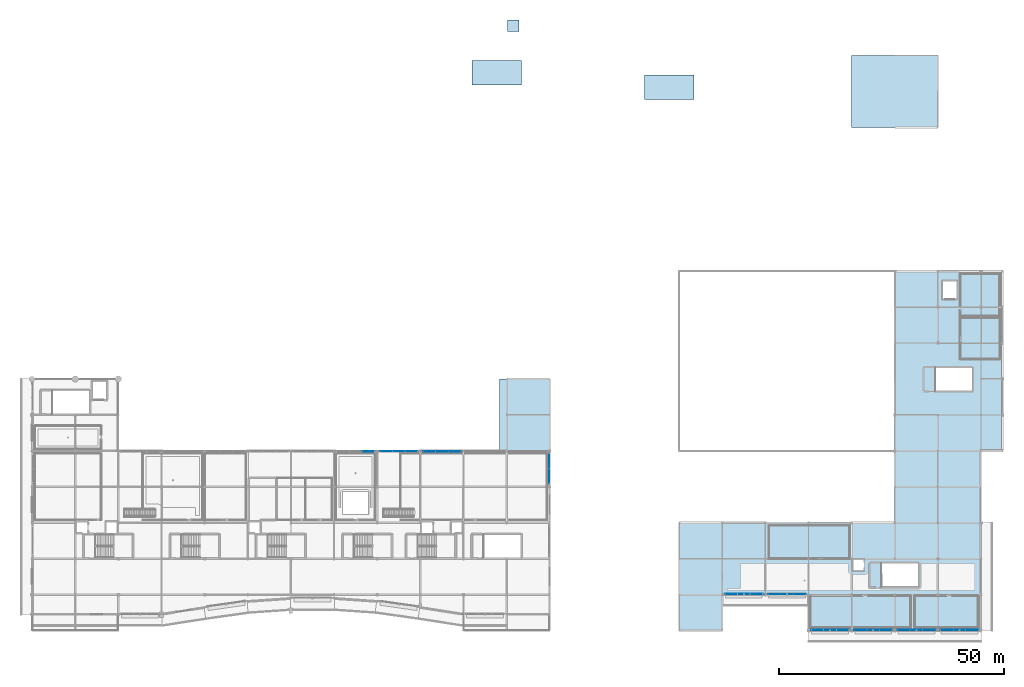
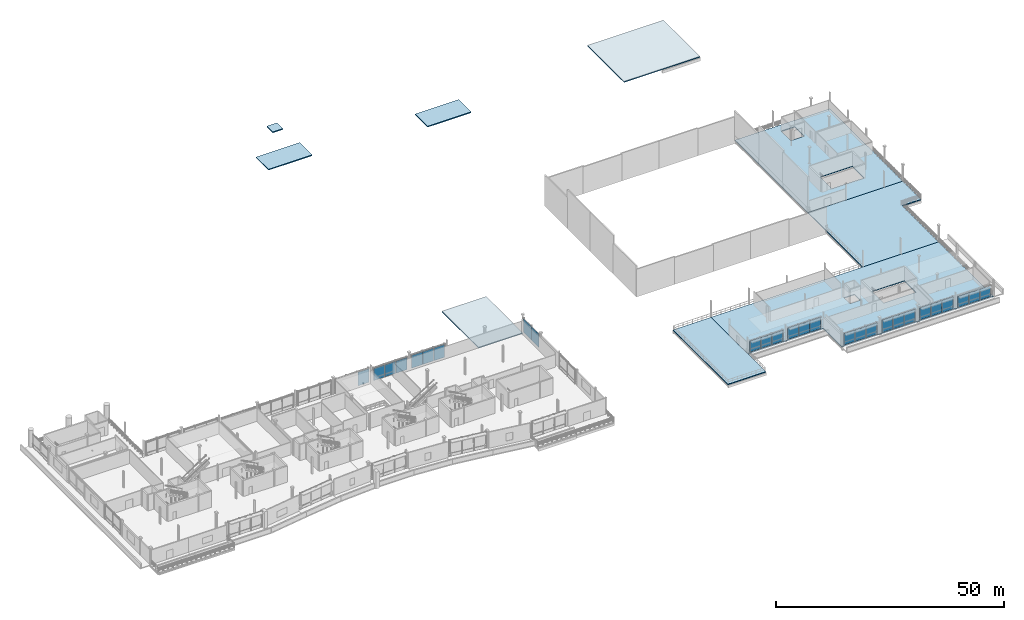
# One storey, part 35 of 59: 27 plates, 9 slabs, 10 elements without a shape of their own.
"""IFC4 building model written with IfcOpenShell, lengths in metres."""

from ifc_helpers import new_model, si_unit, direction, frame, origin, origin_2d, place, context, subcontext, project, spatial, polyline, rectangle, outline, extrude, material, layer, layer_set, type_object, element, aggregate, save


model = new_model("IFC4")

# Units and contexts
model_context = context("Model", 3, precision=1e-05, world=origin(), true_north=direction((0.0, 1.0)))
body_context = subcontext(model_context, "Body", "Model", "MODEL_VIEW")
ifc_project = project(units=[si_unit("LENGTHUNIT", "METRE"), si_unit("AREAUNIT", "SQUARE_METRE"), si_unit("VOLUMEUNIT", "CUBIC_METRE"), si_unit("PLANEANGLEUNIT", "RADIAN"), si_unit("MASSUNIT", "GRAM", prefix="KILO")], contexts=[model_context])

# Site, building, storey
site_placement = place(None, origin())
site = spatial("IfcSite", under=ifc_project, at=site_placement, CompositionType="ELEMENT")
building_placement = place(site_placement, origin())
building = spatial("IfcBuilding", under=site, at=building_placement, Name="Danafjord Basin Convention Centre", CompositionType="ELEMENT")
storey_placement = place(building_placement, frame((0.0, 0.0, 15.89990234375)))
storey = spatial("IfcBuildingStorey", under=building, at=storey_placement, Name="L03", CompositionType="ELEMENT", Elevation=15.89990234375)

# Curtain wall, plates
ifc_material_1 = material(Name="Anodised aluminium and triple glazing", Category="aluminium")
curtain_wall_type_1 = type_object("IfcCurtainWallType", Name="CW-CW-TERR", PredefinedType="NOTDEFINED", material=ifc_material_1)
curtain_wall_1_placement = place(storey_placement, origin())
curtain_wall_1 = element("IfcCurtainWall", 1, at=curtain_wall_1_placement, inside=storey, type_object=curtain_wall_type_1, Name="L03 CW-TERR unitised curtain wall bay 80", PredefinedType="NOTDEFINED")
ifc_material_2 = material(Name="Triple low-E insulated glazing", Category="glass")
ifc_layer_1 = layer(ifc_material_2, 0.0380859375)
ifc_layer_set_1 = layer_set([ifc_layer_1], Name="Triple low-E insulated glazing")
plate_type_1 = type_object("IfcPlateType", Name="PLT-GP-38", PredefinedType="CURTAIN_PANEL", material=ifc_layer_set_1)
plate_1_placement = place(storey_placement, frame((84.39990234375, 39.8798828125, 0.087890625), z_axis=(0.0, 0.0, 1.0), x_axis=(-1.0, 0.0, 0.0)))
plate_1 = element("IfcPlate", 2, at=plate_1_placement, type_object=plate_type_1, Name="CW-L03-080 vision glazing unit 1", PredefinedType="CURTAIN_PANEL", context=body_context, shape_type="SweptSolid", body=[
    extrude(rectangle(XDim=2.743896484375, YDim=0.0380859375, at=origin_2d()), origin(), (0.0, 0.0, 1.0), 3.280029296875),
])
plate_2_placement = place(storey_placement, frame((81.60009765625, 39.8798828125, 0.087890625), z_axis=(0.0, 0.0, 1.0), x_axis=(-1.0, 0.0, 0.0)))
plate_2 = element("IfcPlate", 3, at=plate_2_placement, type_object=plate_type_1, Name="CW-L03-080 vision glazing unit 2", PredefinedType="CURTAIN_PANEL", context=body_context, shape_type="SweptSolid", body=[
    extrude(rectangle(XDim=2.743896484375, YDim=0.0380859375, at=origin_2d()), origin(), (0.0, 0.0, 1.0), 3.280029296875),
])
plate_3_placement = place(storey_placement, frame((78.800048828125, 39.8798828125, 0.087890625), z_axis=(0.0, 0.0, 1.0), x_axis=(-1.0, 0.0, 0.0)))
plate_3 = element("IfcPlate", 4, at=plate_3_placement, type_object=plate_type_1, Name="CW-L03-080 vision glazing unit 3", PredefinedType="CURTAIN_PANEL", context=body_context, shape_type="SweptSolid", body=[
    extrude(rectangle(XDim=2.743896484375, YDim=0.0380859375, at=origin_2d()), origin(), (0.0, 0.0, 1.0), 3.280029296875),
])
aggregate(curtain_wall_1, [plate_1, plate_2, plate_3])

curtain_wall_2_placement = place(storey_placement, origin())
curtain_wall_2 = element("IfcCurtainWall", 5, at=curtain_wall_2_placement, inside=storey, type_object=curtain_wall_type_1, Name="L03 CW-TERR unitised curtain wall bay 86", PredefinedType="NOTDEFINED")
plate_4_placement = place(storey_placement, frame((115.080078125, 34.300048828125, 0.087890625), z_axis=(0.0, 0.0, 1.0), x_axis=(0.0, 1.0, 0.0)))
plate_4 = element("IfcPlate", 6, at=plate_4_placement, type_object=plate_type_1, Name="CW-L03-086 vision glazing unit 1", PredefinedType="CURTAIN_PANEL", context=body_context, shape_type="SweptSolid", body=[
    extrude(rectangle(XDim=3.343994140625, YDim=0.0380859375, at=origin_2d()), origin(), (0.0, 0.0, 1.0), 3.677978515625),
])
plate_5_placement = place(storey_placement, frame((115.080078125, 37.699951171875, 0.087890625), z_axis=(0.0, 0.0, 1.0), x_axis=(0.0, 1.0, 0.0)))
plate_5 = element("IfcPlate", 7, at=plate_5_placement, type_object=plate_type_1, Name="CW-L03-086 vision glazing unit 2", PredefinedType="CURTAIN_PANEL", context=body_context, shape_type="SweptSolid", body=[
    extrude(rectangle(XDim=3.343994140625, YDim=0.0380859375, at=origin_2d()), origin(), (0.0, 0.0, 1.0), 3.677978515625),
])
aggregate(curtain_wall_2, [plate_4, plate_5])

curtain_wall_type_2 = type_object("IfcCurtainWallType", Name="CW-CW-HARB", PredefinedType="NOTDEFINED", material=ifc_material_1)
curtain_wall_3_placement = place(storey_placement, origin())
curtain_wall_3 = element("IfcCurtainWall", 8, at=curtain_wall_3_placement, inside=storey, type_object=curtain_wall_type_2, Name="L03 CW-HARB unitised curtain wall bay 140", PredefinedType="NOTDEFINED")
plate_6_placement = place(storey_placement, frame((184.39990234375, 0.1201171875, 0.087890625), z_axis=(0.0, 0.0, 1.0), x_axis=(1.0, 0.0, 0.0)))
plate_6 = element("IfcPlate", 9, at=plate_6_placement, type_object=plate_type_1, Name="CW-L03-140 vision glazing unit 1", PredefinedType="CURTAIN_PANEL", context=body_context, shape_type="SweptSolid", body=[
    extrude(rectangle(XDim=2.743896484375, YDim=0.0380859375, at=origin_2d()), origin(), (0.0, 0.0, 1.0), 3.239013671875),
])
plate_7_placement = place(storey_placement, frame((187.199951171875, 0.1201171875, 0.087890625), z_axis=(0.0, 0.0, 1.0), x_axis=(1.0, 0.0, 0.0)))
plate_7 = element("IfcPlate", 10, at=plate_7_placement, type_object=plate_type_1, Name="CW-L03-140 vision glazing unit 2", PredefinedType="CURTAIN_PANEL", context=body_context, shape_type="SweptSolid", body=[
    extrude(rectangle(XDim=2.743896484375, YDim=0.0380859375, at=origin_2d()), origin(), (0.0, 0.0, 1.0), 3.239013671875),
])
plate_8_placement = place(storey_placement, frame((190.0, 0.1201171875, 0.087890625), z_axis=(0.0, 0.0, 1.0), x_axis=(1.0, 0.0, 0.0)))
plate_8 = element("IfcPlate", 11, at=plate_8_placement, type_object=plate_type_1, Name="CW-L03-140 vision glazing unit 3", PredefinedType="CURTAIN_PANEL", context=body_context, shape_type="SweptSolid", body=[
    extrude(rectangle(XDim=2.743896484375, YDim=0.0380859375, at=origin_2d()), origin(), (0.0, 0.0, 1.0), 3.239013671875),
])
aggregate(curtain_wall_3, [plate_6, plate_7, plate_8])

curtain_wall_4_placement = place(storey_placement, origin())
curtain_wall_4 = element("IfcCurtainWall", 12, at=curtain_wall_4_placement, inside=storey, type_object=curtain_wall_type_2, Name="L03 CW-HARB unitised curtain wall bay 142", PredefinedType="NOTDEFINED")
plate_9_placement = place(storey_placement, frame((203.60009765625, 0.1201171875, 0.087890625), z_axis=(0.0, 0.0, 1.0), x_axis=(1.0, 0.0, 0.0)))
plate_9 = element("IfcPlate", 13, at=plate_9_placement, type_object=plate_type_1, Name="CW-L03-142 vision glazing unit 1", PredefinedType="CURTAIN_PANEL", context=body_context, shape_type="SweptSolid", body=[
    extrude(rectangle(XDim=2.743896484375, YDim=0.0380859375, at=origin_2d()), origin(), (0.0, 0.0, 1.0), 2.839111328125),
])
plate_10_placement = place(storey_placement, frame((206.39990234375, 0.1201171875, 0.087890625), z_axis=(0.0, 0.0, 1.0), x_axis=(1.0, 0.0, 0.0)))
plate_10 = element("IfcPlate", 14, at=plate_10_placement, type_object=plate_type_1, Name="CW-L03-142 vision glazing unit 2", PredefinedType="CURTAIN_PANEL", context=body_context, shape_type="SweptSolid", body=[
    extrude(rectangle(XDim=2.743896484375, YDim=0.0380859375, at=origin_2d()), origin(), (0.0, 0.0, 1.0), 2.839111328125),
])
plate_11_placement = place(storey_placement, frame((209.199951171875, 0.1201171875, 0.087890625), z_axis=(0.0, 0.0, 1.0), x_axis=(1.0, 0.0, 0.0)))
plate_11 = element("IfcPlate", 15, at=plate_11_placement, type_object=plate_type_1, Name="CW-L03-142 vision glazing unit 3", PredefinedType="CURTAIN_PANEL", context=body_context, shape_type="SweptSolid", body=[
    extrude(rectangle(XDim=2.743896484375, YDim=0.0380859375, at=origin_2d()), origin(), (0.0, 0.0, 1.0), 2.839111328125),
])
aggregate(curtain_wall_4, [plate_9, plate_10, plate_11])

curtain_wall_5_placement = place(storey_placement, origin())
curtain_wall_5 = element("IfcCurtainWall", 16, at=curtain_wall_5_placement, inside=storey, type_object=curtain_wall_type_2, Name="L03 CW-HARB unitised curtain wall bay 150", PredefinedType="NOTDEFINED")
plate_12_placement = place(storey_placement, frame((165.199951171875, 8.1201171875, 0.087890625), z_axis=(0.0, 0.0, 1.0), x_axis=(1.0, 0.0, 0.0)))
plate_12 = element("IfcPlate", 17, at=plate_12_placement, type_object=plate_type_1, Name="CW-L03-150 vision glazing unit 1", PredefinedType="CURTAIN_PANEL", context=body_context, shape_type="SweptSolid", body=[
    extrude(rectangle(XDim=2.743896484375, YDim=0.0380859375, at=origin_2d()), origin(), (0.0, 0.0, 1.0), 2.989013671875),
])
plate_13_placement = place(storey_placement, frame((168.0, 8.1201171875, 0.087890625), z_axis=(0.0, 0.0, 1.0), x_axis=(1.0, 0.0, 0.0)))
plate_13 = element("IfcPlate", 18, at=plate_13_placement, type_object=plate_type_1, Name="CW-L03-150 vision glazing unit 2", PredefinedType="CURTAIN_PANEL", context=body_context, shape_type="SweptSolid", body=[
    extrude(rectangle(XDim=2.743896484375, YDim=0.0380859375, at=origin_2d()), origin(), (0.0, 0.0, 1.0), 2.989013671875),
])
plate_14_placement = place(storey_placement, frame((170.800048828125, 8.1201171875, 0.087890625), z_axis=(0.0, 0.0, 1.0), x_axis=(1.0, 0.0, 0.0)))
plate_14 = element("IfcPlate", 19, at=plate_14_placement, type_object=plate_type_1, Name="CW-L03-150 vision glazing unit 3", PredefinedType="CURTAIN_PANEL", context=body_context, shape_type="SweptSolid", body=[
    extrude(rectangle(XDim=2.743896484375, YDim=0.0380859375, at=origin_2d()), origin(), (0.0, 0.0, 1.0), 2.989013671875),
])
aggregate(curtain_wall_5, [plate_12, plate_13, plate_14])

# Curtain wall, plate
curtain_wall_6_placement = place(storey_placement, origin())
curtain_wall_6 = element("IfcCurtainWall", 20, at=curtain_wall_6_placement, inside=storey, type_object=curtain_wall_type_1, Name="L03 CW-TERR unitised curtain wall bay 79", PredefinedType="NOTDEFINED")
ifc_layer_2 = layer(ifc_material_2, 0.048095703125)
ifc_layer_set_2 = layer_set([ifc_layer_2], Name="Triple low-E insulated glazing")
plate_type_2 = type_object("IfcPlateType", Name="PLT-GP-48", PredefinedType="CURTAIN_PANEL", material=ifc_layer_set_2)
plate_15_placement = place(storey_placement, frame((74.800048828125, 39.8798828125, 0.088134765625), z_axis=(0.0, 0.0, 1.0), x_axis=(-1.0, 0.0, 0.0)))
plate_15 = element("IfcPlate", 21, at=plate_15_placement, type_object=plate_type_2, Name="CW-L03-079 vision glazing unit 1", PredefinedType="CURTAIN_PANEL", context=body_context, shape_type="SweptSolid", body=[
    extrude(rectangle(XDim=2.743896484375, YDim=0.048095703125, at=origin_2d()), origin(), (0.0, 0.0, 1.0), 3.6298828125),
])
aggregate(curtain_wall_6, [plate_15])

# Curtain wall, plates
curtain_wall_7_placement = place(storey_placement, origin())
curtain_wall_7 = element("IfcCurtainWall", 22, at=curtain_wall_7_placement, inside=storey, type_object=curtain_wall_type_1, Name="L03 CW-TERR unitised curtain wall bay 81", PredefinedType="NOTDEFINED")
plate_16_placement = place(storey_placement, frame((94.0, 39.8798828125, 0.087890625), z_axis=(0.0, 0.0, 1.0), x_axis=(-1.0, 0.0, 0.0)))
plate_16 = element("IfcPlate", 23, at=plate_16_placement, type_object=plate_type_2, Name="CW-L03-081 vision glazing unit 1", PredefinedType="CURTAIN_PANEL", context=body_context, shape_type="SweptSolid", body=[
    extrude(rectangle(XDim=2.743896484375, YDim=0.048095703125, at=origin_2d()), origin(), (0.0, 0.0, 1.0), 3.429931640625),
])
plate_17_placement = place(storey_placement, frame((91.199951171875, 39.8798828125, 0.087890625), z_axis=(0.0, 0.0, 1.0), x_axis=(-1.0, 0.0, 0.0)))
plate_17 = element("IfcPlate", 24, at=plate_17_placement, type_object=plate_type_2, Name="CW-L03-081 vision glazing unit 2", PredefinedType="CURTAIN_PANEL", context=body_context, shape_type="SweptSolid", body=[
    extrude(rectangle(XDim=2.743896484375, YDim=0.048095703125, at=origin_2d()), origin(), (0.0, 0.0, 1.0), 3.429931640625),
])
plate_18_placement = place(storey_placement, frame((88.39990234375, 39.8798828125, 0.087890625), z_axis=(0.0, 0.0, 1.0), x_axis=(-1.0, 0.0, 0.0)))
plate_18 = element("IfcPlate", 25, at=plate_18_placement, type_object=plate_type_2, Name="CW-L03-081 vision glazing unit 3", PredefinedType="CURTAIN_PANEL", context=body_context, shape_type="SweptSolid", body=[
    extrude(rectangle(XDim=2.743896484375, YDim=0.048095703125, at=origin_2d()), origin(), (0.0, 0.0, 1.0), 3.429931640625),
])
aggregate(curtain_wall_7, [plate_16, plate_17, plate_18])

curtain_wall_8_placement = place(storey_placement, origin())
curtain_wall_8 = element("IfcCurtainWall", 26, at=curtain_wall_8_placement, inside=storey, type_object=curtain_wall_type_2, Name="L03 CW-HARB unitised curtain wall bay 139", PredefinedType="NOTDEFINED")
plate_19_placement = place(storey_placement, frame((174.800048828125, 0.1201171875, 0.087890625), z_axis=(0.0, 0.0, 1.0), x_axis=(1.0, 0.0, 0.0)))
plate_19 = element("IfcPlate", 27, at=plate_19_placement, type_object=plate_type_2, Name="CW-L03-139 vision glazing unit 1", PredefinedType="CURTAIN_PANEL", context=body_context, shape_type="SweptSolid", body=[
    extrude(rectangle(XDim=2.743896484375, YDim=0.048095703125, at=origin_2d()), origin(), (0.0, 0.0, 1.0), 2.989013671875),
])
plate_20_placement = place(storey_placement, frame((177.60009765625, 0.1201171875, 0.087890625), z_axis=(0.0, 0.0, 1.0), x_axis=(1.0, 0.0, 0.0)))
plate_20 = element("IfcPlate", 28, at=plate_20_placement, type_object=plate_type_2, Name="CW-L03-139 vision glazing unit 2", PredefinedType="CURTAIN_PANEL", context=body_context, shape_type="SweptSolid", body=[
    extrude(rectangle(XDim=2.743896484375, YDim=0.048095703125, at=origin_2d()), origin(), (0.0, 0.0, 1.0), 2.989013671875),
])
plate_21_placement = place(storey_placement, frame((180.39990234375, 0.1201171875, 0.087890625), z_axis=(0.0, 0.0, 1.0), x_axis=(1.0, 0.0, 0.0)))
plate_21 = element("IfcPlate", 29, at=plate_21_placement, type_object=plate_type_2, Name="CW-L03-139 vision glazing unit 3", PredefinedType="CURTAIN_PANEL", context=body_context, shape_type="SweptSolid", body=[
    extrude(rectangle(XDim=2.743896484375, YDim=0.048095703125, at=origin_2d()), origin(), (0.0, 0.0, 1.0), 2.989013671875),
])
aggregate(curtain_wall_8, [plate_19, plate_20, plate_21])

curtain_wall_9_placement = place(storey_placement, origin())
curtain_wall_9 = element("IfcCurtainWall", 30, at=curtain_wall_9_placement, inside=storey, type_object=curtain_wall_type_2, Name="L03 CW-HARB unitised curtain wall bay 141", PredefinedType="NOTDEFINED")
plate_22_placement = place(storey_placement, frame((194.0, 0.1201171875, 0.088134765625), z_axis=(0.0, 0.0, 1.0), x_axis=(1.0, 0.0, 0.0)))
plate_22 = element("IfcPlate", 31, at=plate_22_placement, type_object=plate_type_2, Name="CW-L03-141 vision glazing unit 1", PredefinedType="CURTAIN_PANEL", context=body_context, shape_type="SweptSolid", body=[
    extrude(rectangle(XDim=2.743896484375, YDim=0.048095703125, at=origin_2d()), origin(), (0.0, 0.0, 1.0), 3.18896484375),
])
plate_23_placement = place(storey_placement, frame((196.800048828125, 0.1201171875, 0.088134765625), z_axis=(0.0, 0.0, 1.0), x_axis=(1.0, 0.0, 0.0)))
plate_23 = element("IfcPlate", 32, at=plate_23_placement, type_object=plate_type_2, Name="CW-L03-141 vision glazing unit 2", PredefinedType="CURTAIN_PANEL", context=body_context, shape_type="SweptSolid", body=[
    extrude(rectangle(XDim=2.743896484375, YDim=0.048095703125, at=origin_2d()), origin(), (0.0, 0.0, 1.0), 3.18896484375),
])
plate_24_placement = place(storey_placement, frame((199.60009765625, 0.1201171875, 0.088134765625), z_axis=(0.0, 0.0, 1.0), x_axis=(1.0, 0.0, 0.0)))
plate_24 = element("IfcPlate", 33, at=plate_24_placement, type_object=plate_type_2, Name="CW-L03-141 vision glazing unit 3", PredefinedType="CURTAIN_PANEL", context=body_context, shape_type="SweptSolid", body=[
    extrude(rectangle(XDim=2.743896484375, YDim=0.048095703125, at=origin_2d()), origin(), (0.0, 0.0, 1.0), 3.18896484375),
])
aggregate(curtain_wall_9, [plate_22, plate_23, plate_24])

curtain_wall_10_placement = place(storey_placement, origin())
curtain_wall_10 = element("IfcCurtainWall", 34, at=curtain_wall_10_placement, inside=storey, type_object=curtain_wall_type_2, Name="L03 CW-HARB unitised curtain wall bay 149", PredefinedType="NOTDEFINED")
plate_25_placement = place(storey_placement, frame((155.60009765625, 8.1201171875, 0.087890625), z_axis=(0.0, 0.0, 1.0), x_axis=(1.0, 0.0, 0.0)))
plate_25 = element("IfcPlate", 35, at=plate_25_placement, type_object=plate_type_2, Name="CW-L03-149 vision glazing unit 1", PredefinedType="CURTAIN_PANEL", context=body_context, shape_type="SweptSolid", body=[
    extrude(rectangle(XDim=2.743896484375, YDim=0.048095703125, at=origin_2d()), origin(), (0.0, 0.0, 1.0), 2.839111328125),
])
plate_26_placement = place(storey_placement, frame((158.39990234375, 8.1201171875, 0.087890625), z_axis=(0.0, 0.0, 1.0), x_axis=(1.0, 0.0, 0.0)))
plate_26 = element("IfcPlate", 36, at=plate_26_placement, type_object=plate_type_2, Name="CW-L03-149 vision glazing unit 2", PredefinedType="CURTAIN_PANEL", context=body_context, shape_type="SweptSolid", body=[
    extrude(rectangle(XDim=2.743896484375, YDim=0.048095703125, at=origin_2d()), origin(), (0.0, 0.0, 1.0), 2.839111328125),
])
plate_27_placement = place(storey_placement, frame((161.199951171875, 8.1201171875, 0.087890625), z_axis=(0.0, 0.0, 1.0), x_axis=(1.0, 0.0, 0.0)))
plate_27 = element("IfcPlate", 37, at=plate_27_placement, type_object=plate_type_2, Name="CW-L03-149 vision glazing unit 3", PredefinedType="CURTAIN_PANEL", context=body_context, shape_type="SweptSolid", body=[
    extrude(rectangle(XDim=2.743896484375, YDim=0.048095703125, at=origin_2d()), origin(), (0.0, 0.0, 1.0), 2.839111328125),
])
aggregate(curtain_wall_10, [plate_25, plate_26, plate_27])

# Slabs
ifc_material_3 = material(Name="Concrete C35/45", Category="concrete")
ifc_layer_3 = layer(ifc_material_3, 0.22412109375)
ifc_layer_set_3 = layer_set([ifc_layer_3], Name="Concrete C35/45")
slab_type_1 = type_object("IfcSlabType", Name="SLAB-FS-210", PredefinedType="FLOOR", material=ifc_layer_set_3)
slab_1_placement = place(storey_placement, frame((0.0, 0.0, -0.223876953125)))
element("IfcSlab", 38, at=slab_1_placement, inside=storey, type_object=slab_type_1, Name="L03 FS-210 slab SL-L03-V5", PredefinedType="FLOOR", context=body_context, shape_type="SweptSolid", body=[
    extrude(outline(polyline([(153.60009765625, 24.0), (211.199951171875, 24.0), (211.199951171875, 0.0), (172.800048828125, 0.0), (172.800048828125, 8.0), (153.60009765625, 8.0), (153.60009765625, 24.0)]), holes=[polyline([(197.280029296875, 9.81005859375), (197.280029296875, 14.949951171875), (189.080078125, 14.949951171875), (189.080078125, 9.81005859375), (197.280029296875, 9.81005859375)]), polyline([(185.199951171875, 13.300048828125), (185.199951171875, 15.89990234375), (182.60009765625, 15.89990234375), (182.60009765625, 13.300048828125), (185.199951171875, 13.300048828125)])]), origin(), (0.0, 0.0, 1.0), 0.223876953125),
])
ifc_layer_4 = layer(ifc_material_3, 0.22998046875)
ifc_layer_set_4 = layer_set([ifc_layer_4], Name="Concrete C35/45")
slab_type_2 = type_object("IfcSlabType", Name="SLAB-FS-230", PredefinedType="FLOOR", material=ifc_layer_set_4)
slab_2_placement = place(storey_placement, frame((0.0, 0.0, -0.22998046875)))
element("IfcSlab", 39, at=slab_2_placement, inside=storey, type_object=slab_type_2, Name="L03 FS-230 slab SL-L03-V3E", PredefinedType="FLOOR", context=body_context, shape_type="SweptSolid", body=[
    extrude(outline(polyline([(192.0, 80.0), (216.0, 80.0), (216.0, 48.0), (192.0, 48.0), (192.0, 80.0)]), holes=[polyline([(201.080078125, 53.360107421875), (209.280029296875, 53.360107421875), (209.280029296875, 58.5), (201.080078125, 58.5), (201.080078125, 53.360107421875)]), polyline([(202.5, 73.699951171875), (205.89990234375, 73.699951171875), (205.89990234375, 77.89990234375), (202.5, 77.89990234375), (202.5, 73.699951171875)])]), origin(), (0.0, 0.0, 1.0), 0.22998046875),
])
ifc_layer_5 = layer(ifc_material_3, 0.2451171875)
ifc_layer_set_5 = layer_set([ifc_layer_5], Name="Concrete C35/45")
slab_type_3 = type_object("IfcSlabType", Name="SLAB-RF-240", PredefinedType="ROOF", material=ifc_layer_set_5)
slab_3_placement = place(storey_placement, frame((0.0, 0.0, -0.664794921875)))
element("IfcSlab", 40, at=slab_3_placement, inside=storey, type_object=slab_type_3, Name="L03 gravel maintenance flat roof slab RF-FLAT-C5", PredefinedType="ROOF", context=body_context, shape_type="SweptSolid", body=[
    extrude(outline(polyline([(104.0, 40.0), (104.0, 56.0), (115.199951171875, 56.0), (115.199951171875, 40.0), (104.0, 40.0)])), origin(), (0.0, 0.0, 1.0), 0.244873046875),
])
slab_4_placement = place(storey_placement, frame((0.0, 0.0, -0.664794921875)))
element("IfcSlab", 41, at=slab_4_placement, inside=storey, type_object=slab_type_3, Name="L03 gravel maintenance flat roof slab RF-FLAT-V2E", PredefinedType="ROOF", context=body_context, shape_type="SweptSolid", body=[
    extrude(outline(polyline([(182.39990234375, 112.0), (182.39990234375, 128.0), (201.60009765625, 128.0), (201.60009765625, 112.0), (182.39990234375, 112.0)])), origin(), (0.0, 0.0, 1.0), 0.244873046875),
])
slab_5_placement = place(storey_placement, frame((0.0, 0.0, -0.244873046875)))
element("IfcSlab", 42, at=slab_5_placement, inside=storey, type_object=slab_type_3, Name="North Exhibition Core Stair 1 gravel maintenance shaft cap", PredefinedType="ROOF", context=body_context, shape_type="SweptSolid", body=[
    extrude(outline(polyline([(97.85009765625, 121.39990234375), (108.889892578125, 121.39990234375), (108.889892578125, 126.860107421875), (97.85009765625, 126.860107421875), (97.85009765625, 121.39990234375)])), origin(), (0.0, 0.0, 1.0), 0.244873046875),
])
slab_6_placement = place(storey_placement, frame((0.0, 0.0, -0.244873046875)))
element("IfcSlab", 43, at=slab_6_placement, inside=storey, type_object=slab_type_3, Name="Plenary West Escape Stair gravel maintenance shaft cap", PredefinedType="ROOF", context=body_context, shape_type="SweptSolid", body=[
    extrude(outline(polyline([(136.25, 118.199951171875), (147.2900390625, 118.199951171875), (147.2900390625, 123.659912109375), (136.25, 123.659912109375), (136.25, 118.199951171875)])), origin(), (0.0, 0.0, 1.0), 0.244873046875),
])
slab_7_placement = place(storey_placement, frame((0.0, 0.0, -0.244873046875)))
element("IfcSlab", 44, at=slab_7_placement, inside=storey, type_object=slab_type_3, Name="Lift LF-P04 gravel maintenance overrun cap", PredefinedType="ROOF", context=body_context, shape_type="SweptSolid", body=[
    extrude(outline(polyline([(105.800048828125, 133.300048828125), (108.39990234375, 133.300048828125), (108.39990234375, 135.89990234375), (105.800048828125, 135.89990234375), (105.800048828125, 133.300048828125)])), origin(), (0.0, 0.0, 1.0), 0.244873046875),
])
ifc_material_4 = material(Name="Precast concrete C40/50", Category="concrete")
ifc_layer_6 = layer(ifc_material_4, 0.22607421875)
ifc_layer_set_6 = layer_set([ifc_layer_6], Name="Precast concrete C40/50")
slab_type_4 = type_object("IfcSlabType", Name="SLAB-TR-180", PredefinedType="FLOOR", material=ifc_layer_set_6)
slab_8_placement = place(storey_placement, frame((0.0, 0.0, -0.225830078125)))
element("IfcSlab", 45, at=slab_8_placement, inside=storey, type_object=slab_type_4, Name="L03 TR-180 slab SL-L03-TER-V5", PredefinedType="FLOOR", context=body_context, shape_type="SweptSolid", body=[
    extrude(outline(polyline([(144.0, 0.0), (144.0, 24.0), (153.60009765625, 24.0), (153.60009765625, 0.0), (144.0, 0.0)])), origin(), (0.0, 0.0, 1.0), 0.225830078125),
])
ifc_layer_7 = layer(ifc_material_4, 0.236083984375)
ifc_layer_set_7 = layer_set([ifc_layer_7], Name="Precast concrete C40/50")
slab_type_5 = type_object("IfcSlabType", Name="SLAB-TR-190", PredefinedType="FLOOR", material=ifc_layer_set_7)
slab_9_placement = place(storey_placement, frame((0.0, 0.0, -0.23583984375)))
element("IfcSlab", 46, at=slab_9_placement, inside=storey, type_object=slab_type_5, Name="L03 TR-190 slab SL-L03-TER-V3", PredefinedType="FLOOR", context=body_context, shape_type="SweptSolid", body=[
    extrude(outline(polyline([(192.0, 24.0), (192.0, 48.0), (216.0, 48.0), (216.0, 40.0), (211.199951171875, 40.0), (211.199951171875, 24.0), (192.0, 24.0)])), origin(), (0.0, 0.0, 1.0), 0.23583984375),
])

save(model, "model.ifc")
